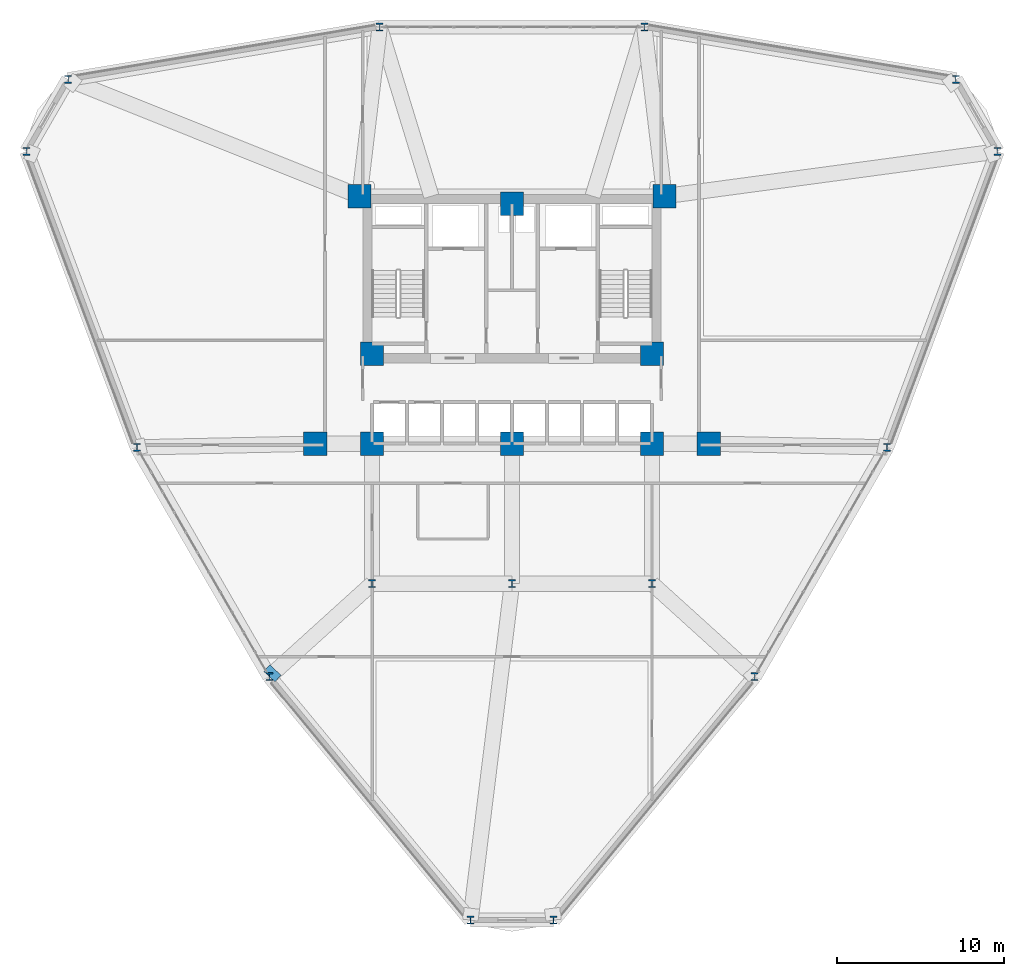
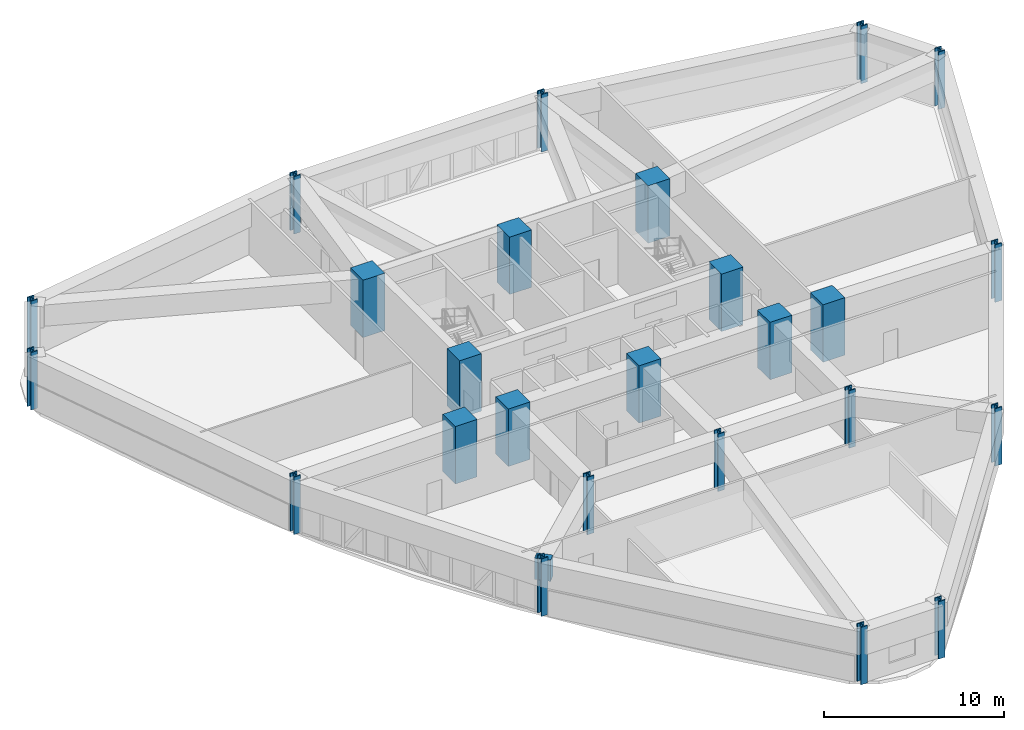
# One storey, part 1 of 20: 25 columns, 1 beam.
"""IFC4 building model written with IfcOpenShell, lengths in metres."""

from ifc_helpers import new_model, si_unit, derived_unit, direction, frame, origin, origin_2d, place, context, subcontext, project, spatial, rectangle, i_section, extrude, source, transform, mapped, material, material_profile, profile_set, type_object, element, save


model = new_model("IFC4")

# Units and contexts
model_context = context("Model", 3, precision=1e-05, world=origin(), true_north=direction((0.0, 1.0)))
body_context = subcontext(model_context, "Body", "Model", "MODEL_VIEW")
ifc_project = project(units=[si_unit("LENGTHUNIT", "METRE"), si_unit("AREAUNIT", "SQUARE_METRE"), si_unit("VOLUMEUNIT", "CUBIC_METRE"), si_unit("PLANEANGLEUNIT", "RADIAN"), si_unit("MASSUNIT", "GRAM", prefix="KILO"), derived_unit("THERMALTRANSMITTANCEUNIT", [(si_unit("POWERUNIT", "WATT"), 1), (si_unit("LENGTHUNIT", "METRE"), -2), (si_unit("THERMODYNAMICTEMPERATUREUNIT", "KELVIN"), -1)])], contexts=[model_context])

# Site, building, storey
site_placement = place(None, origin())
site = spatial("IfcSite", under=ifc_project, at=site_placement, CompositionType="ELEMENT")
building_placement = place(site_placement, origin())
building = spatial("IfcBuilding", under=site, at=building_placement, Name="Korsvarv Bourse and Concert Hall", CompositionType="ELEMENT")
storey_placement = place(building_placement, frame((0.0, 0.0, 43.5)))
storey = spatial("IfcBuildingStorey", under=building, at=storey_placement, Name="L10", CompositionType="ELEMENT", Elevation=43.5)

# Columns
ifc_material_1 = material(Name="Concrete C60/75", Category="concrete")
ifc_material_profile_1 = material_profile(ifc_material_1, rectangle(XDim=1.39990234375, YDim=1.39990234375, at=origin_2d()), Name="RC 1400x1400")
ifc_profile_set_1 = profile_set([ifc_material_profile_1], Name="Concrete C60/75")
column_type_1 = type_object("IfcColumnType", Name="COL-RC1400", PredefinedType="COLUMN", material=ifc_profile_set_1)
shared_shape_1 = source(origin(), body_context, "Body", "SweptSolid", [
    extrude(rectangle(XDim=1.39990234375, YDim=1.39990234375, at=origin_2d()), origin(), (0.0, 0.0, 1.0), 3.89990234375),
])
for number, where, z_axis, x_axis, name in (
    (1, (26.85009765625, 47.25, 0.0), (0.0, 0.0, 1.0), (1.0, 0.0, 0.0), "L10 column C-01"),
    (2, (45.14990234375, 47.25, 0.0), (0.0, 0.0, 1.0), (1.0, 0.0, 0.0), "L10 column C-01"),
    (3, (27.60009765625, 37.800048828125, 0.0), (0.0, 0.0, 1.0), (1.0, 0.0, 0.0), "L10 column C-01"),
    (4, (44.39990234375, 37.800048828125, 0.0), (0.0, 0.0, 1.0), (1.0, 0.0, 0.0), "L10 column C-01"),
    (5, (27.60009765625, 32.39990234375, 0.0), (0.0, 0.0, 1.0), (1.0, 0.0, 0.0), "L10 column C-01"),
    (6, (44.39990234375, 32.39990234375, 0.0), (0.0, 0.0, 1.0), (1.0, 0.0, 0.0), "L10 column C-01"),
    (7, (36.0, 46.800048828125, 0.0), (0.0, 0.0, 1.0), (1.0, 0.0, 0.0), "L10 column C-01"),
    (8, (36.0, 32.39990234375, 0.0), (0.0, 0.0, 1.0), (1.0, 0.0, 0.0), "L10 column C-01"),
    (9, (24.199951171875, 32.39990234375, 0.0), (0.0, 0.0, 1.0), (1.0, 0.0, 0.0), "L10 column C-01"),
    (10, (47.800048828125, 32.39990234375, 0.0), (0.0, 0.0, 1.0), (1.0, 0.0, 0.0), "L10 column C-01"),
):
    element("IfcColumn", number, at=place(storey_placement, frame(where, z_axis=z_axis, x_axis=x_axis)), inside=storey, type_object=column_type_1, Name=name, PredefinedType="COLUMN", context=body_context, shape_type="MappedRepresentation", body=[
        mapped(shared_shape_1, transform((0.0, 0.0, 0.0), scale=1.0)),
    ])
ifc_material_2 = material(Name="Steel S460", Category="steel")
ifc_material_profile_2 = material_profile(ifc_material_2, i_section(OverallWidth=0.424072265625, OverallDepth=0.47412109375, WebThickness=0.044921875, FlangeThickness=0.072021484375, FilletRadius=0.014892578125, at=origin_2d()), Name="HD 400x634")
ifc_profile_set_2 = profile_set([ifc_material_profile_2], Name="Steel S460")
column_type_2 = type_object("IfcColumnType", Name="COL-HD634", PredefinedType="COLUMN", material=ifc_profile_set_2)
shared_shape_2 = source(origin(), body_context, "Body", "SweptSolid", [
    extrude(i_section(OverallWidth=0.424072265625, OverallDepth=0.47412109375, WebThickness=0.044921875, FlangeThickness=0.072021484375, FilletRadius=0.014892578125, at=origin_2d()), origin(), (0.0, 0.0, 1.0), 3.89990234375),
])
for number, where, z_axis, x_axis, name in (
    (11, (27.60009765625, 24.0, 0.0), (0.0, 0.0, 1.0), (1.0, 0.0, 0.0), "L10 column C-07"),
    (12, (44.39990234375, 24.0, 0.0), (0.0, 0.0, 1.0), (1.0, 0.0, 0.0), "L10 column C-07"),
    (13, (36.0, 24.0, 0.0), (0.0, 0.0, 1.0), (1.0, 0.0, 0.0), "L10 column C-07"),
    (14, (65.1298828125, 49.939697265625, 0.0), (0.0, 0.0, 1.0), (1.0, 0.0, 0.0), "L10 column C-07"),
    (15, (62.63720703125, 54.25732421875, 0.0), (0.0, 0.0, 1.0), (1.0, 0.0, 0.0), "L10 column C-07"),
    (16, (43.941162109375, 57.401611328125, 0.0), (0.0, 0.0, 1.0), (1.0, 0.0, 0.0), "L10 column C-07"),
    (17, (28.058837890625, 57.401611328125, 0.0), (0.0, 0.0, 1.0), (1.0, 0.0, 0.0), "L10 column C-07"),
    (18, (9.36279296875, 54.25732421875, 0.0), (0.0, 0.0, 1.0), (1.0, 0.0, 0.0), "L10 column C-07"),
    (19, (6.8701171875, 49.939697265625, 0.0), (0.0, 0.0, 1.0), (1.0, 0.0, 0.0), "L10 column C-07"),
    (20, (13.4951171875, 32.176513671875, 0.0), (0.0, 0.0, 1.0), (1.0, 0.0, 0.0), "L10 column C-07"),
    (21, (21.436279296875, 18.422119140625, 0.0), (0.0, 0.0, 1.0), (1.0, 0.0, 0.0), "L10 column C-07"),
    (22, (33.507080078125, 3.802978515625, 0.0), (0.0, 0.0, 1.0), (1.0, 0.0, 0.0), "L10 column C-07"),
    (23, (38.492919921875, 3.802978515625, 0.0), (0.0, 0.0, 1.0), (1.0, 0.0, 0.0), "L10 column C-07"),
    (24, (50.563720703125, 18.422119140625, 0.0), (0.0, 0.0, 1.0), (1.0, 0.0, 0.0), "L10 column C-07"),
    (25, (58.5048828125, 32.176513671875, 0.0), (0.0, 0.0, 1.0), (1.0, 0.0, 0.0), "L10 column C-07"),
):
    element("IfcColumn", number, at=place(storey_placement, frame(where, z_axis=z_axis, x_axis=x_axis)), inside=storey, type_object=column_type_2, Name=name, PredefinedType="COLUMN", context=body_context, shape_type="MappedRepresentation", body=[
        mapped(shared_shape_2, transform((0.0, 0.0, 0.0), scale=1.0)),
    ])

# Beam
ifc_material_3 = material(Name="Concrete C50/60", Category="concrete")
ifc_material_profile_3 = material_profile(ifc_material_3, rectangle(XDim=0.919921875, YDim=1.43994140625, at=origin_2d()), Name="RC-BM 920x1440")
ifc_profile_set_3 = profile_set([ifc_material_profile_3], Name="Concrete C50/60")
beam_type = type_object("IfcBeamType", Name="BM-TR-144", PredefinedType="BEAM", material=ifc_profile_set_3)
shared_shape_3 = source(origin(), body_context, "Body", "SweptSolid", [
    extrude(rectangle(XDim=0.919921875, YDim=1.43994140625, at=origin_2d()), origin(), (0.0, 0.0, 1.0), 0.535400390625),
])
beam_placement = place(storey_placement, frame((21.436279296875, 18.422119140625, 2.9599609375), z_axis=(0.682285750396, 0.731085600191, 0.0), x_axis=(-0.731085600191, 0.682285750396, 0.0)))
element("IfcBeam", 26, at=beam_placement, inside=storey, type_object=beam_type, Name="L10 beam B-TR4", PredefinedType="BEAM", context=body_context, shape_type="MappedRepresentation", body=[
    mapped(shared_shape_3, transform((0.0, 0.0, 0.0), scale=1.0)),
])

save(model, "model.ifc")
